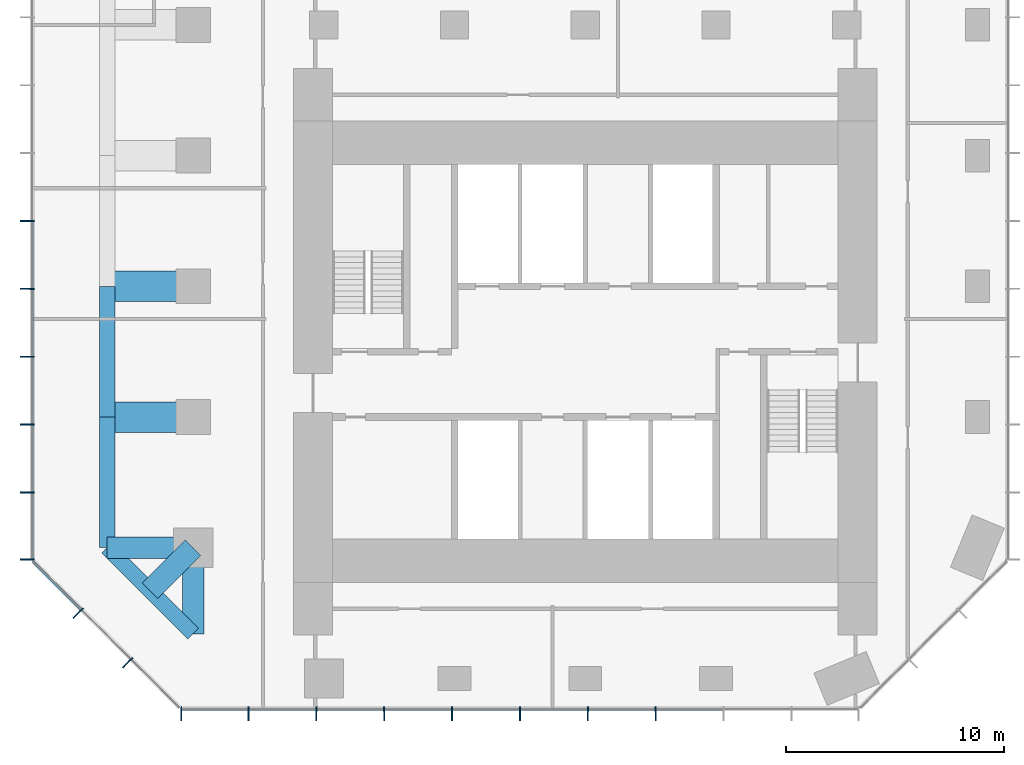
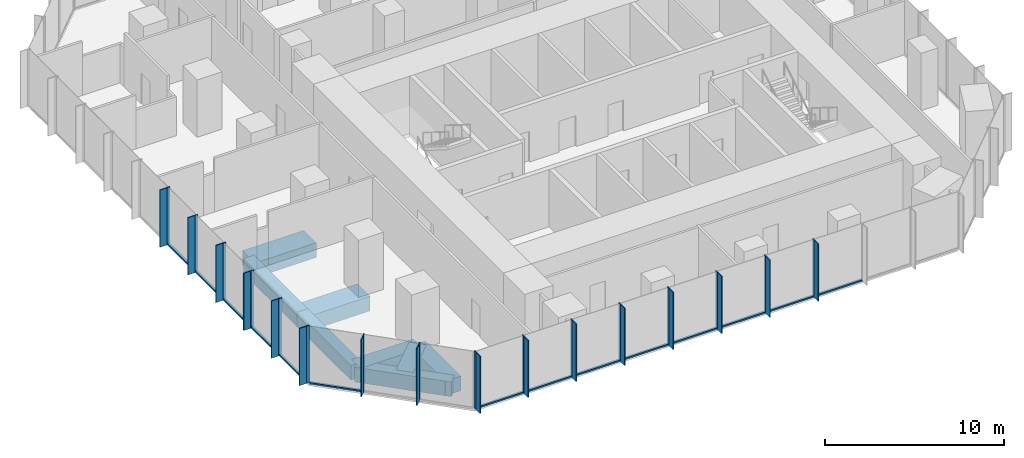
# One storey, part 2 of 11: 46 members, 8 beams, 3 elements without a shape of their own.
"""IFC4 building model written with IfcOpenShell, lengths in metres."""

from ifc_helpers import new_model, si_unit, direction, frame, origin, origin_2d, place, context, subcontext, project, spatial, rectangle, extrude, material, layer, layer_set, material_profile, profile_set, type_object, element, aggregate, save


model = new_model("IFC4")

# Units and contexts
model_context = context("Model", 3, precision=1e-05, world=origin(), true_north=direction((0.0, 1.0)))
body_context = subcontext(model_context, "Body", "Model", "MODEL_VIEW")
ifc_project = project(units=[si_unit("LENGTHUNIT", "METRE"), si_unit("AREAUNIT", "SQUARE_METRE"), si_unit("VOLUMEUNIT", "CUBIC_METRE"), si_unit("PLANEANGLEUNIT", "RADIAN"), si_unit("MASSUNIT", "GRAM", prefix="KILO")], contexts=[model_context])

# Site, building, storey
site_placement = place(None, origin())
site = spatial("IfcSite", under=ifc_project, at=site_placement, CompositionType="ELEMENT")
building_placement = place(site_placement, origin())
building = spatial("IfcBuilding", under=site, at=building_placement, Name="Highveld Stack Headquarters", CompositionType="ELEMENT")
storey_placement = place(building_placement, frame((0.0, 0.0, 192.800048828125)))
storey = spatial("IfcBuildingStorey", under=building, at=storey_placement, Name="L47", CompositionType="ELEMENT", Elevation=192.800048828125)

# Beams
ifc_material_1 = material(Name="Concrete C60/75", Category="concrete")
ifc_material_profile_1 = material_profile(ifc_material_1, rectangle(XDim=1.0, YDim=1.0, at=origin_2d()), Name="RC 1000x1000")
ifc_profile_set_1 = profile_set([ifc_material_profile_1], Name="Concrete C60/75")
beam_type_1 = type_object("IfcBeamType", Name="CANTILEVER RIB RC 1000x1000", PredefinedType="USERDEFINED", material=ifc_profile_set_1)
for number, where, z_axis, x_axis, name in (
    (1, (-12.0, -6.0, -0.75), (-1.0, 0.0, 0.0), (0.0, -1.0, 0.0), "Cantilever rib 4/D L47"),
    (2, (-12.0, -6.0, -0.75), (0.0, -1.0, 0.0), (1.0, 0.0, 0.0), "Cantilever rib 4/D L47"),
):
    element("IfcBeam", number, at=place(storey_placement, frame(where, z_axis=z_axis, x_axis=x_axis)), inside=storey, type_object=beam_type_1, Name=name, ObjectType="CANTILEVER RIB", PredefinedType="USERDEFINED", context=body_context, shape_type="SweptSolid", body=[
        extrude(rectangle(XDim=1.0, YDim=1.0, at=origin_2d()), origin(), (0.0, 0.0, 1.0), 3.949951171875),
    ])
beam_1_placement = place(storey_placement, frame((-12.0, -6.0, -0.75), z_axis=(-0.707106781187, -0.707106781187, 0.0), x_axis=(0.707106781187, -0.707106781187, 0.0)))
element("IfcBeam", 3, at=beam_1_placement, inside=storey, type_object=beam_type_1, Name="Cantilever rib 4/D L47", ObjectType="CANTILEVER RIB", PredefinedType="USERDEFINED", context=body_context, shape_type="SweptSolid", body=[
    extrude(rectangle(XDim=1.0, YDim=1.0, at=origin_2d()), origin(), (0.0, 0.0, 1.0), 2.793212890625),
])
ifc_material_2 = material(Name="Concrete C60/75", Category="concrete")
ifc_material_profile_2 = material_profile(ifc_material_2, rectangle(XDim=1.39990234375, YDim=1.0, at=origin_2d()), Name="RC 1400x1000")
ifc_profile_set_2 = profile_set([ifc_material_profile_2], Name="Concrete C60/75")
beam_type_2 = type_object("IfcBeamType", Name="CANTILEVER RIB RC 1400x1000", PredefinedType="USERDEFINED", material=ifc_profile_set_2)
for number, where, z_axis, x_axis, name in (
    (4, (-12.0, 0.0, -0.75), (-1.0, 0.0, 0.0), (0.0, -1.0, 0.0), "Cantilever rib 4/E L47"),
    (5, (-12.0, 6.0, -0.75), (-1.0, 0.0, 0.0), (0.0, -1.0, 0.0), "Cantilever rib 4/F L47"),
):
    element("IfcBeam", number, at=place(storey_placement, frame(where, z_axis=z_axis, x_axis=x_axis)), inside=storey, type_object=beam_type_2, Name=name, ObjectType="CANTILEVER RIB", PredefinedType="USERDEFINED", context=body_context, shape_type="SweptSolid", body=[
        extrude(rectangle(XDim=1.39990234375, YDim=1.0, at=origin_2d()), origin(), (0.0, 0.0, 1.0), 3.949951171875),
    ])

# Curtain wall, members
ifc_material_3 = material(Name="Aluminium bronze anodised", Category="aluminium")
ifc_layer_1 = layer(ifc_material_3, 0.199951171875)
ifc_layer_set_1 = layer_set([ifc_layer_1], Name="Aluminium bronze anodised")
curtain_wall_type_1 = type_object("IfcCurtainWallType", Name="CW1 TOWER UNITISED CURTAIN WALL", PredefinedType="NOTDEFINED", material=ifc_layer_set_1)
curtain_wall_1_placement = place(storey_placement, origin())
curtain_wall_1 = element("IfcCurtainWall", 6, at=curtain_wall_1_placement, inside=storey, type_object=curtain_wall_type_1, Name="Curtain wall CW1 L47 S", PredefinedType="NOTDEFINED")
ifc_material_4 = material(Name="Aluminium bronze anodised", Category="aluminium")
ifc_material_profile_3 = material_profile(ifc_material_4, rectangle(XDim=0.449951171875, YDim=0.06005859375, at=origin_2d()), Name="FIN 450x60")
ifc_profile_set_3 = profile_set([ifc_material_profile_3], Name="Aluminium bronze anodised")
member_type_1 = type_object("IfcMemberType", Name="CW1 BRONZE FIN 450x60", PredefinedType="USERDEFINED", material=ifc_profile_set_3)
member_1_placement = place(storey_placement, frame((-12.54736328125, -13.72509765625, 0.0), z_axis=(0.0, 0.0, 1.0), x_axis=(0.0, 1.0, 0.0)))
member_1 = element("IfcMember", 7, at=member_1_placement, type_object=member_type_1, Name="CW1 fin L47 1", ObjectType="FIN", PredefinedType="USERDEFINED", context=body_context, shape_type="SweptSolid", body=[
    extrude(rectangle(XDim=0.449951171875, YDim=0.06005859375, at=origin_2d()), origin(), (0.0, 0.0, 1.0), 3.89990234375),
])
member_2_placement = place(storey_placement, frame((-9.4638671875, -13.72509765625, 0.0), z_axis=(0.0, 0.0, 1.0), x_axis=(0.0, 1.0, 0.0)))
member_2 = element("IfcMember", 8, at=member_2_placement, type_object=member_type_1, Name="CW1 fin L47 2", ObjectType="FIN", PredefinedType="USERDEFINED", context=body_context, shape_type="SweptSolid", body=[
    extrude(rectangle(XDim=0.449951171875, YDim=0.06005859375, at=origin_2d()), origin(), (0.0, 0.0, 1.0), 3.89990234375),
])
member_3_placement = place(storey_placement, frame((-6.347900390625, -13.72509765625, 0.0), z_axis=(0.0, 0.0, 1.0), x_axis=(0.0, 1.0, 0.0)))
member_3 = element("IfcMember", 9, at=member_3_placement, type_object=member_type_1, Name="CW1 fin L47 3", ObjectType="FIN", PredefinedType="USERDEFINED", context=body_context, shape_type="SweptSolid", body=[
    extrude(rectangle(XDim=0.449951171875, YDim=0.06005859375, at=origin_2d()), origin(), (0.0, 0.0, 1.0), 3.89990234375),
])
member_4_placement = place(storey_placement, frame((-3.23193359375, -13.72509765625, 0.0), z_axis=(0.0, 0.0, 1.0), x_axis=(0.0, 1.0, 0.0)))
member_4 = element("IfcMember", 10, at=member_4_placement, type_object=member_type_1, Name="CW1 fin L47 4", ObjectType="FIN", PredefinedType="USERDEFINED", context=body_context, shape_type="SweptSolid", body=[
    extrude(rectangle(XDim=0.449951171875, YDim=0.06005859375, at=origin_2d()), origin(), (0.0, 0.0, 1.0), 3.89990234375),
])
member_5_placement = place(storey_placement, frame((-0.115966796875, -13.72509765625, 0.0), z_axis=(0.0, 0.0, 1.0), x_axis=(0.0, 1.0, 0.0)))
member_5 = element("IfcMember", 11, at=member_5_placement, type_object=member_type_1, Name="CW1 fin L47 5", ObjectType="FIN", PredefinedType="USERDEFINED", context=body_context, shape_type="SweptSolid", body=[
    extrude(rectangle(XDim=0.449951171875, YDim=0.06005859375, at=origin_2d()), origin(), (0.0, 0.0, 1.0), 3.89990234375),
])
member_6_placement = place(storey_placement, frame((3.0, -13.72509765625, 0.0), z_axis=(0.0, 0.0, 1.0), x_axis=(0.0, 1.0, 0.0)))
member_6 = element("IfcMember", 12, at=member_6_placement, type_object=member_type_1, Name="CW1 fin L47 6", ObjectType="FIN", PredefinedType="USERDEFINED", context=body_context, shape_type="SweptSolid", body=[
    extrude(rectangle(XDim=0.449951171875, YDim=0.06005859375, at=origin_2d()), origin(), (0.0, 0.0, 1.0), 3.89990234375),
])
member_7_placement = place(storey_placement, frame((6.115966796875, -13.72509765625, 0.0), z_axis=(0.0, 0.0, 1.0), x_axis=(0.0, 1.0, 0.0)))
member_7 = element("IfcMember", 13, at=member_7_placement, type_object=member_type_1, Name="CW1 fin L47 7", ObjectType="FIN", PredefinedType="USERDEFINED", context=body_context, shape_type="SweptSolid", body=[
    extrude(rectangle(XDim=0.449951171875, YDim=0.06005859375, at=origin_2d()), origin(), (0.0, 0.0, 1.0), 3.89990234375),
])
member_8_placement = place(storey_placement, frame((9.23193359375, -13.72509765625, 0.0), z_axis=(0.0, 0.0, 1.0), x_axis=(0.0, 1.0, 0.0)))
member_8 = element("IfcMember", 14, at=member_8_placement, type_object=member_type_1, Name="CW1 fin L47 8", ObjectType="FIN", PredefinedType="USERDEFINED", context=body_context, shape_type="SweptSolid", body=[
    extrude(rectangle(XDim=0.449951171875, YDim=0.06005859375, at=origin_2d()), origin(), (0.0, 0.0, 1.0), 3.89990234375),
])

curtain_wall_2_placement = place(storey_placement, origin())
curtain_wall_2 = element("IfcCurtainWall", 15, at=curtain_wall_2_placement, inside=storey, type_object=curtain_wall_type_1, Name="Curtain wall CW1 L47 W", PredefinedType="NOTDEFINED")
member_9_placement = place(storey_placement, frame((-19.72509765625, 9.0, 0.0), z_axis=(0.0, 0.0, 1.0), x_axis=(1.0, 0.0, 0.0)))
member_9 = element("IfcMember", 16, at=member_9_placement, type_object=member_type_1, Name="CW1 fin L47 6", ObjectType="FIN", PredefinedType="USERDEFINED", context=body_context, shape_type="SweptSolid", body=[
    extrude(rectangle(XDim=0.449951171875, YDim=0.06005859375, at=origin_2d()), origin(), (0.0, 0.0, 1.0), 3.89990234375),
])
member_10_placement = place(storey_placement, frame((-19.72509765625, 5.884033203125, 0.0), z_axis=(0.0, 0.0, 1.0), x_axis=(1.0, 0.0, 0.0)))
member_10 = element("IfcMember", 17, at=member_10_placement, type_object=member_type_1, Name="CW1 fin L47 7", ObjectType="FIN", PredefinedType="USERDEFINED", context=body_context, shape_type="SweptSolid", body=[
    extrude(rectangle(XDim=0.449951171875, YDim=0.06005859375, at=origin_2d()), origin(), (0.0, 0.0, 1.0), 3.89990234375),
])
member_11_placement = place(storey_placement, frame((-19.72509765625, 2.76806640625, 0.0), z_axis=(0.0, 0.0, 1.0), x_axis=(1.0, 0.0, 0.0)))
member_11 = element("IfcMember", 18, at=member_11_placement, type_object=member_type_1, Name="CW1 fin L47 8", ObjectType="FIN", PredefinedType="USERDEFINED", context=body_context, shape_type="SweptSolid", body=[
    extrude(rectangle(XDim=0.449951171875, YDim=0.06005859375, at=origin_2d()), origin(), (0.0, 0.0, 1.0), 3.89990234375),
])
member_12_placement = place(storey_placement, frame((-19.72509765625, -0.347900390625, 0.0), z_axis=(0.0, 0.0, 1.0), x_axis=(1.0, 0.0, 0.0)))
member_12 = element("IfcMember", 19, at=member_12_placement, type_object=member_type_1, Name="CW1 fin L47 9", ObjectType="FIN", PredefinedType="USERDEFINED", context=body_context, shape_type="SweptSolid", body=[
    extrude(rectangle(XDim=0.449951171875, YDim=0.06005859375, at=origin_2d()), origin(), (0.0, 0.0, 1.0), 3.89990234375),
])
member_13_placement = place(storey_placement, frame((-19.72509765625, -3.4638671875, 0.0), z_axis=(0.0, 0.0, 1.0), x_axis=(1.0, 0.0, 0.0)))
member_13 = element("IfcMember", 20, at=member_13_placement, type_object=member_type_1, Name="CW1 fin L47 10", ObjectType="FIN", PredefinedType="USERDEFINED", context=body_context, shape_type="SweptSolid", body=[
    extrude(rectangle(XDim=0.449951171875, YDim=0.06005859375, at=origin_2d()), origin(), (0.0, 0.0, 1.0), 3.89990234375),
])
member_14_placement = place(storey_placement, frame((-19.72509765625, -6.54736328125, 0.0), z_axis=(0.0, 0.0, 1.0), x_axis=(1.0, 0.0, 0.0)))
member_14 = element("IfcMember", 21, at=member_14_placement, type_object=member_type_1, Name="CW1 fin L47 11", ObjectType="FIN", PredefinedType="USERDEFINED", context=body_context, shape_type="SweptSolid", body=[
    extrude(rectangle(XDim=0.449951171875, YDim=0.06005859375, at=origin_2d()), origin(), (0.0, 0.0, 1.0), 3.89990234375),
])

# Member
ifc_material_5 = material(Name="Aluminium bronze anodised", Category="aluminium")
ifc_material_profile_4 = material_profile(ifc_material_5, rectangle(XDim=0.199951171875, YDim=0.06494140625, at=origin_2d()), Name="CW1 MULLION 65x200")
ifc_profile_set_4 = profile_set([ifc_material_profile_4], Name="Aluminium bronze anodised")
member_type_2 = type_object("IfcMemberType", Name="CW1 MULLION 65x200", PredefinedType="MULLION", material=ifc_profile_set_4)
member_15_placement = place(storey_placement, frame((-12.54736328125, -13.39990234375, 0.0), z_axis=(0.0, 0.0, 1.0), x_axis=(0.0, 1.0, 0.0)))
member_15 = element("IfcMember", 22, at=member_15_placement, type_object=member_type_2, Name="CW1 mullion L47 1", PredefinedType="MULLION", context=body_context, shape_type="SweptSolid", body=[
    extrude(rectangle(XDim=0.199951171875, YDim=0.06494140625, at=origin_2d()), origin(), (0.0, 0.0, 1.0), 3.89990234375),
])

member_16_placement = place(storey_placement, frame((-9.4638671875, -13.39990234375, 0.0), z_axis=(0.0, 0.0, 1.0), x_axis=(0.0, 1.0, 0.0)))
member_16 = element("IfcMember", 23, at=member_16_placement, type_object=member_type_2, Name="CW1 mullion L47 2", PredefinedType="MULLION", context=body_context, shape_type="SweptSolid", body=[
    extrude(rectangle(XDim=0.199951171875, YDim=0.06494140625, at=origin_2d()), origin(), (0.0, 0.0, 1.0), 3.89990234375),
])

member_17_placement = place(storey_placement, frame((-6.347900390625, -13.39990234375, 0.0), z_axis=(0.0, 0.0, 1.0), x_axis=(0.0, 1.0, 0.0)))
member_17 = element("IfcMember", 24, at=member_17_placement, type_object=member_type_2, Name="CW1 mullion L47 3", PredefinedType="MULLION", context=body_context, shape_type="SweptSolid", body=[
    extrude(rectangle(XDim=0.199951171875, YDim=0.06494140625, at=origin_2d()), origin(), (0.0, 0.0, 1.0), 3.89990234375),
])

member_18_placement = place(storey_placement, frame((-3.23193359375, -13.39990234375, 0.0), z_axis=(0.0, 0.0, 1.0), x_axis=(0.0, 1.0, 0.0)))
member_18 = element("IfcMember", 25, at=member_18_placement, type_object=member_type_2, Name="CW1 mullion L47 4", PredefinedType="MULLION", context=body_context, shape_type="SweptSolid", body=[
    extrude(rectangle(XDim=0.199951171875, YDim=0.06494140625, at=origin_2d()), origin(), (0.0, 0.0, 1.0), 3.89990234375),
])

member_19_placement = place(storey_placement, frame((-0.115966796875, -13.39990234375, 0.0), z_axis=(0.0, 0.0, 1.0), x_axis=(0.0, 1.0, 0.0)))
member_19 = element("IfcMember", 26, at=member_19_placement, type_object=member_type_2, Name="CW1 mullion L47 5", PredefinedType="MULLION", context=body_context, shape_type="SweptSolid", body=[
    extrude(rectangle(XDim=0.199951171875, YDim=0.06494140625, at=origin_2d()), origin(), (0.0, 0.0, 1.0), 3.89990234375),
])

member_20_placement = place(storey_placement, frame((3.0, -13.39990234375, 0.0), z_axis=(0.0, 0.0, 1.0), x_axis=(0.0, 1.0, 0.0)))
member_20 = element("IfcMember", 27, at=member_20_placement, type_object=member_type_2, Name="CW1 mullion L47 6", PredefinedType="MULLION", context=body_context, shape_type="SweptSolid", body=[
    extrude(rectangle(XDim=0.199951171875, YDim=0.06494140625, at=origin_2d()), origin(), (0.0, 0.0, 1.0), 3.89990234375),
])

member_21_placement = place(storey_placement, frame((6.115966796875, -13.39990234375, 0.0), z_axis=(0.0, 0.0, 1.0), x_axis=(0.0, 1.0, 0.0)))
member_21 = element("IfcMember", 28, at=member_21_placement, type_object=member_type_2, Name="CW1 mullion L47 7", PredefinedType="MULLION", context=body_context, shape_type="SweptSolid", body=[
    extrude(rectangle(XDim=0.199951171875, YDim=0.06494140625, at=origin_2d()), origin(), (0.0, 0.0, 1.0), 3.89990234375),
])

member_22_placement = place(storey_placement, frame((9.23193359375, -13.39990234375, 0.0), z_axis=(0.0, 0.0, 1.0), x_axis=(0.0, 1.0, 0.0)))
member_22 = element("IfcMember", 29, at=member_22_placement, type_object=member_type_2, Name="CW1 mullion L47 8", PredefinedType="MULLION", context=body_context, shape_type="SweptSolid", body=[
    extrude(rectangle(XDim=0.199951171875, YDim=0.06494140625, at=origin_2d()), origin(), (0.0, 0.0, 1.0), 3.89990234375),
])

member_23_placement = place(storey_placement, frame((-19.39990234375, 9.0, 0.0), z_axis=(0.0, 0.0, 1.0), x_axis=(1.0, 0.0, 0.0)))
member_23 = element("IfcMember", 30, at=member_23_placement, type_object=member_type_2, Name="CW1 mullion L47 6", PredefinedType="MULLION", context=body_context, shape_type="SweptSolid", body=[
    extrude(rectangle(XDim=0.199951171875, YDim=0.06494140625, at=origin_2d()), origin(), (0.0, 0.0, 1.0), 3.89990234375),
])

member_24_placement = place(storey_placement, frame((-19.39990234375, 5.884033203125, 0.0), z_axis=(0.0, 0.0, 1.0), x_axis=(1.0, 0.0, 0.0)))
member_24 = element("IfcMember", 31, at=member_24_placement, type_object=member_type_2, Name="CW1 mullion L47 7", PredefinedType="MULLION", context=body_context, shape_type="SweptSolid", body=[
    extrude(rectangle(XDim=0.199951171875, YDim=0.06494140625, at=origin_2d()), origin(), (0.0, 0.0, 1.0), 3.89990234375),
])

member_25_placement = place(storey_placement, frame((-19.39990234375, 2.76806640625, 0.0), z_axis=(0.0, 0.0, 1.0), x_axis=(1.0, 0.0, 0.0)))
member_25 = element("IfcMember", 32, at=member_25_placement, type_object=member_type_2, Name="CW1 mullion L47 8", PredefinedType="MULLION", context=body_context, shape_type="SweptSolid", body=[
    extrude(rectangle(XDim=0.199951171875, YDim=0.06494140625, at=origin_2d()), origin(), (0.0, 0.0, 1.0), 3.89990234375),
])

member_26_placement = place(storey_placement, frame((-19.39990234375, -0.347900390625, 0.0), z_axis=(0.0, 0.0, 1.0), x_axis=(1.0, 0.0, 0.0)))
member_26 = element("IfcMember", 33, at=member_26_placement, type_object=member_type_2, Name="CW1 mullion L47 9", PredefinedType="MULLION", context=body_context, shape_type="SweptSolid", body=[
    extrude(rectangle(XDim=0.199951171875, YDim=0.06494140625, at=origin_2d()), origin(), (0.0, 0.0, 1.0), 3.89990234375),
])

member_27_placement = place(storey_placement, frame((-19.39990234375, -3.4638671875, 0.0), z_axis=(0.0, 0.0, 1.0), x_axis=(1.0, 0.0, 0.0)))
member_27 = element("IfcMember", 34, at=member_27_placement, type_object=member_type_2, Name="CW1 mullion L47 10", PredefinedType="MULLION", context=body_context, shape_type="SweptSolid", body=[
    extrude(rectangle(XDim=0.199951171875, YDim=0.06494140625, at=origin_2d()), origin(), (0.0, 0.0, 1.0), 3.89990234375),
])

member_28_placement = place(storey_placement, frame((-19.39990234375, -6.54736328125, 0.0), z_axis=(0.0, 0.0, 1.0), x_axis=(1.0, 0.0, 0.0)))
member_28 = element("IfcMember", 35, at=member_28_placement, type_object=member_type_2, Name="CW1 mullion L47 11", PredefinedType="MULLION", context=body_context, shape_type="SweptSolid", body=[
    extrude(rectangle(XDim=0.199951171875, YDim=0.06494140625, at=origin_2d()), origin(), (0.0, 0.0, 1.0), 3.89990234375),
])

ifc_material_6 = material(Name="Aluminium bronze anodised", Category="aluminium")
ifc_material_profile_5 = material_profile(ifc_material_6, rectangle(XDim=0.14990234375, YDim=0.10009765625, at=origin_2d()), Name="CW1 TRANSOM 150x100")
ifc_profile_set_5 = profile_set([ifc_material_profile_5], Name="Aluminium bronze anodised")
member_type_3 = type_object("IfcMemberType", Name="CW1 STACK TRANSOM 150x100", PredefinedType="USERDEFINED", material=ifc_profile_set_5)
member_29_placement = place(storey_placement, frame((-12.514892578125, -13.39990234375, 0.050048828125), z_axis=(1.0, 0.0, 0.0), x_axis=(0.0, 1.0, 0.0)))
member_29 = element("IfcMember", 36, at=member_29_placement, type_object=member_type_3, Name="CW1 transom L47 1.1", ObjectType="TRANSOM", PredefinedType="USERDEFINED", context=body_context, shape_type="SweptSolid", body=[
    extrude(rectangle(XDim=0.14990234375, YDim=0.10009765625, at=origin_2d()), origin(), (0.0, 0.0, 1.0), 3.0185546875),
])

member_30_placement = place(storey_placement, frame((-9.431396484375, -13.39990234375, 0.050048828125), z_axis=(1.0, 0.0, 0.0), x_axis=(0.0, 1.0, 0.0)))
member_30 = element("IfcMember", 37, at=member_30_placement, type_object=member_type_3, Name="CW1 transom L47 2.1", ObjectType="TRANSOM", PredefinedType="USERDEFINED", context=body_context, shape_type="SweptSolid", body=[
    extrude(rectangle(XDim=0.14990234375, YDim=0.10009765625, at=origin_2d()), origin(), (0.0, 0.0, 1.0), 3.051025390625),
])

member_31_placement = place(storey_placement, frame((-6.3154296875, -13.39990234375, 0.050048828125), z_axis=(1.0, 0.0, 0.0), x_axis=(0.0, 1.0, 0.0)))
member_31 = element("IfcMember", 38, at=member_31_placement, type_object=member_type_3, Name="CW1 transom L47 3.1", ObjectType="TRANSOM", PredefinedType="USERDEFINED", context=body_context, shape_type="SweptSolid", body=[
    extrude(rectangle(XDim=0.14990234375, YDim=0.10009765625, at=origin_2d()), origin(), (0.0, 0.0, 1.0), 3.051025390625),
])

member_32_placement = place(storey_placement, frame((-3.199462890625, -13.39990234375, 0.050048828125), z_axis=(1.0, 0.0, 0.0), x_axis=(0.0, 1.0, 0.0)))
member_32 = element("IfcMember", 39, at=member_32_placement, type_object=member_type_3, Name="CW1 transom L47 4.1", ObjectType="TRANSOM", PredefinedType="USERDEFINED", context=body_context, shape_type="SweptSolid", body=[
    extrude(rectangle(XDim=0.14990234375, YDim=0.10009765625, at=origin_2d()), origin(), (0.0, 0.0, 1.0), 3.051025390625),
])

member_33_placement = place(storey_placement, frame((-0.08349609375, -13.39990234375, 0.050048828125), z_axis=(1.0, 0.0, 0.0), x_axis=(0.0, 1.0, 0.0)))
member_33 = element("IfcMember", 40, at=member_33_placement, type_object=member_type_3, Name="CW1 transom L47 5.1", ObjectType="TRANSOM", PredefinedType="USERDEFINED", context=body_context, shape_type="SweptSolid", body=[
    extrude(rectangle(XDim=0.14990234375, YDim=0.10009765625, at=origin_2d()), origin(), (0.0, 0.0, 1.0), 3.051025390625),
])

member_34_placement = place(storey_placement, frame((3.032470703125, -13.39990234375, 0.050048828125), z_axis=(1.0, 0.0, 0.0), x_axis=(0.0, 1.0, 0.0)))
member_34 = element("IfcMember", 41, at=member_34_placement, type_object=member_type_3, Name="CW1 transom L47 6.1", ObjectType="TRANSOM", PredefinedType="USERDEFINED", context=body_context, shape_type="SweptSolid", body=[
    extrude(rectangle(XDim=0.14990234375, YDim=0.10009765625, at=origin_2d()), origin(), (0.0, 0.0, 1.0), 3.051025390625),
])

member_35_placement = place(storey_placement, frame((6.1484375, -13.39990234375, 0.050048828125), z_axis=(1.0, 0.0, 0.0), x_axis=(0.0, 1.0, 0.0)))
member_35 = element("IfcMember", 42, at=member_35_placement, type_object=member_type_3, Name="CW1 transom L47 7.1", ObjectType="TRANSOM", PredefinedType="USERDEFINED", context=body_context, shape_type="SweptSolid", body=[
    extrude(rectangle(XDim=0.14990234375, YDim=0.10009765625, at=origin_2d()), origin(), (0.0, 0.0, 1.0), 3.051025390625),
])

member_36_placement = place(storey_placement, frame((9.264404296875, -13.39990234375, 0.050048828125), z_axis=(1.0, 0.0, 0.0), x_axis=(0.0, 1.0, 0.0)))
member_36 = element("IfcMember", 43, at=member_36_placement, type_object=member_type_3, Name="CW1 transom L47 8.1", ObjectType="TRANSOM", PredefinedType="USERDEFINED", context=body_context, shape_type="SweptSolid", body=[
    extrude(rectangle(XDim=0.14990234375, YDim=0.10009765625, at=origin_2d()), origin(), (0.0, 0.0, 1.0), 3.051025390625),
])

aggregate(curtain_wall_1, [member_15, member_1, member_16, member_2, member_17, member_3, member_18, member_4, member_19, member_5, member_20, member_6, member_21, member_7, member_22, member_8, member_29, member_30, member_31, member_32, member_33, member_34, member_35, member_36])

member_37_placement = place(storey_placement, frame((-19.39990234375, 8.967529296875, 0.050048828125), z_axis=(0.0, -1.0, 0.0), x_axis=(1.0, 0.0, 0.0)))
member_37 = element("IfcMember", 44, at=member_37_placement, type_object=member_type_3, Name="CW1 transom L47 6.1", ObjectType="TRANSOM", PredefinedType="USERDEFINED", context=body_context, shape_type="SweptSolid", body=[
    extrude(rectangle(XDim=0.14990234375, YDim=0.10009765625, at=origin_2d()), origin(), (0.0, 0.0, 1.0), 3.051025390625),
])

member_38_placement = place(storey_placement, frame((-19.39990234375, 5.8515625, 0.050048828125), z_axis=(0.0, -1.0, 0.0), x_axis=(1.0, 0.0, 0.0)))
member_38 = element("IfcMember", 45, at=member_38_placement, type_object=member_type_3, Name="CW1 transom L47 7.1", ObjectType="TRANSOM", PredefinedType="USERDEFINED", context=body_context, shape_type="SweptSolid", body=[
    extrude(rectangle(XDim=0.14990234375, YDim=0.10009765625, at=origin_2d()), origin(), (0.0, 0.0, 1.0), 3.051025390625),
])

member_39_placement = place(storey_placement, frame((-19.39990234375, 2.735595703125, 0.050048828125), z_axis=(0.0, -1.0, 0.0), x_axis=(1.0, 0.0, 0.0)))
member_39 = element("IfcMember", 46, at=member_39_placement, type_object=member_type_3, Name="CW1 transom L47 8.1", ObjectType="TRANSOM", PredefinedType="USERDEFINED", context=body_context, shape_type="SweptSolid", body=[
    extrude(rectangle(XDim=0.14990234375, YDim=0.10009765625, at=origin_2d()), origin(), (0.0, 0.0, 1.0), 3.051025390625),
])

member_40_placement = place(storey_placement, frame((-19.39990234375, -0.38037109375, 0.050048828125), z_axis=(0.0, -1.0, 0.0), x_axis=(1.0, 0.0, 0.0)))
member_40 = element("IfcMember", 47, at=member_40_placement, type_object=member_type_3, Name="CW1 transom L47 9.1", ObjectType="TRANSOM", PredefinedType="USERDEFINED", context=body_context, shape_type="SweptSolid", body=[
    extrude(rectangle(XDim=0.14990234375, YDim=0.10009765625, at=origin_2d()), origin(), (0.0, 0.0, 1.0), 3.051025390625),
])

member_41_placement = place(storey_placement, frame((-19.39990234375, -3.496337890625, 0.050048828125), z_axis=(0.0, -1.0, 0.0), x_axis=(1.0, 0.0, 0.0)))
member_41 = element("IfcMember", 48, at=member_41_placement, type_object=member_type_3, Name="CW1 transom L47 10.1", ObjectType="TRANSOM", PredefinedType="USERDEFINED", context=body_context, shape_type="SweptSolid", body=[
    extrude(rectangle(XDim=0.14990234375, YDim=0.10009765625, at=origin_2d()), origin(), (0.0, 0.0, 1.0), 3.0185546875),
])

aggregate(curtain_wall_2, [member_23, member_9, member_24, member_10, member_25, member_11, member_26, member_12, member_27, member_13, member_28, member_14, member_37, member_38, member_39, member_40, member_41])

# Curtain wall, members
ifc_material_7 = material(Name="Aluminium bronze anodised", Category="aluminium")
ifc_layer_2 = layer(ifc_material_7, 0.199951171875)
ifc_layer_set_2 = layer_set([ifc_layer_2], Name="Aluminium bronze anodised")
curtain_wall_type_2 = type_object("IfcCurtainWallType", Name="CW2 TOWER CHAMFER UNITISED CURTAIN WALL", PredefinedType="NOTDEFINED", material=ifc_layer_set_2)
curtain_wall_3_placement = place(storey_placement, origin())
curtain_wall_3 = element("IfcCurtainWall", 49, at=curtain_wall_3_placement, inside=storey, type_object=curtain_wall_type_2, Name="Curtain wall CW2 L47 SW", PredefinedType="NOTDEFINED")
ifc_material_8 = material(Name="Aluminium bronze anodised", Category="aluminium")
ifc_material_profile_6 = material_profile(ifc_material_8, rectangle(XDim=0.449951171875, YDim=0.06005859375, at=origin_2d()), Name="FIN 450x60")
ifc_profile_set_6 = profile_set([ifc_material_profile_6], Name="Aluminium bronze anodised")
member_type_4 = type_object("IfcMemberType", Name="CW2 BRONZE FIN 450x60", PredefinedType="USERDEFINED", material=ifc_profile_set_6)
member_42_placement = place(storey_placement, frame((-17.3564453125, -9.0830078125, 0.0), z_axis=(0.0, 0.0, 1.0), x_axis=(0.707106781187, 0.707106781187, 0.0)))
member_42 = element("IfcMember", 50, at=member_42_placement, type_object=member_type_4, Name="CW2 fin L47 1", ObjectType="FIN", PredefinedType="USERDEFINED", context=body_context, shape_type="SweptSolid", body=[
    extrude(rectangle(XDim=0.449951171875, YDim=0.06005859375, at=origin_2d()), origin(), (0.0, 0.0, 1.0), 3.89990234375),
])
member_43_placement = place(storey_placement, frame((-15.0830078125, -11.3564453125, 0.0), z_axis=(0.0, 0.0, 1.0), x_axis=(0.707106781187, 0.707106781187, 0.0)))
member_43 = element("IfcMember", 51, at=member_43_placement, type_object=member_type_4, Name="CW2 fin L47 2", ObjectType="FIN", PredefinedType="USERDEFINED", context=body_context, shape_type="SweptSolid", body=[
    extrude(rectangle(XDim=0.449951171875, YDim=0.06005859375, at=origin_2d()), origin(), (0.0, 0.0, 1.0), 3.89990234375),
])
ifc_material_9 = material(Name="Aluminium bronze anodised", Category="aluminium")
ifc_material_profile_7 = material_profile(ifc_material_9, rectangle(XDim=0.199951171875, YDim=0.06494140625, at=origin_2d()), Name="CW2 MULLION 65x200")
ifc_profile_set_7 = profile_set([ifc_material_profile_7], Name="Aluminium bronze anodised")
member_type_5 = type_object("IfcMemberType", Name="CW2 MULLION 65x200", PredefinedType="MULLION", material=ifc_profile_set_7)
member_44_placement = place(storey_placement, frame((-17.126708984375, -8.853271484375, 0.0), z_axis=(0.0, 0.0, 1.0), x_axis=(0.707106781187, 0.707106781187, 0.0)))
member_44 = element("IfcMember", 52, at=member_44_placement, type_object=member_type_5, Name="CW2 mullion L47 1", PredefinedType="MULLION", context=body_context, shape_type="SweptSolid", body=[
    extrude(rectangle(XDim=0.199951171875, YDim=0.06494140625, at=origin_2d()), origin(), (0.0, 0.0, 1.0), 3.89990234375),
])
member_45_placement = place(storey_placement, frame((-14.853271484375, -11.126708984375, 0.0), z_axis=(0.0, 0.0, 1.0), x_axis=(0.707106781187, 0.707106781187, 0.0)))
member_45 = element("IfcMember", 53, at=member_45_placement, type_object=member_type_5, Name="CW2 mullion L47 2", PredefinedType="MULLION", context=body_context, shape_type="SweptSolid", body=[
    extrude(rectangle(XDim=0.199951171875, YDim=0.06494140625, at=origin_2d()), origin(), (0.0, 0.0, 1.0), 3.89990234375),
])
ifc_material_10 = material(Name="Aluminium bronze anodised", Category="aluminium")
ifc_material_profile_8 = material_profile(ifc_material_10, rectangle(XDim=0.14990234375, YDim=0.10009765625, at=origin_2d()), Name="CW2 TRANSOM 150x100")
ifc_profile_set_8 = profile_set([ifc_material_profile_8], Name="Aluminium bronze anodised")
member_type_6 = type_object("IfcMemberType", Name="CW2 STACK TRANSOM 150x100", PredefinedType="USERDEFINED", material=ifc_profile_set_8)
member_46_placement = place(storey_placement, frame((-19.329345703125, -6.650634765625, 0.050048828125), z_axis=(0.707106781187, -0.707106781187, 0.0), x_axis=(0.707106781187, 0.707106781187, 0.0)))
member_46 = element("IfcMember", 54, at=member_46_placement, type_object=member_type_6, Name="CW2 transom L47 1.1", ObjectType="TRANSOM", PredefinedType="USERDEFINED", context=body_context, shape_type="SweptSolid", body=[
    extrude(rectangle(XDim=0.14990234375, YDim=0.10009765625, at=origin_2d()), origin(), (0.0, 0.0, 1.0), 3.08251953125),
])
aggregate(curtain_wall_3, [member_44, member_42, member_45, member_43, member_46])

# Beams
ifc_material_11 = material(Name="Concrete C60/75", Category="concrete")
ifc_material_profile_9 = material_profile(ifc_material_11, rectangle(XDim=0.699951171875, YDim=1.0, at=origin_2d()), Name="RC 700x1000")
ifc_profile_set_9 = profile_set([ifc_material_profile_9], Name="Concrete C60/75")
beam_type_3 = type_object("IfcBeamType", Name="RIB TIP BEAM RC 700x1000", PredefinedType="SPANDREL", material=ifc_profile_set_9)
for number, where, z_axis, x_axis, name in (
    (55, (-15.949951171875, -6.0, -0.75), (0.0, 1.0, 0.0), (-1.0, 0.0, 0.0), "Rib tip beam 4/D to 4/E L47"),
    (56, (-15.949951171875, 0.0, -0.75), (0.0, 1.0, 0.0), (-1.0, 0.0, 0.0), "Rib tip beam 4/E to 4/F L47"),
):
    element("IfcBeam", number, at=place(storey_placement, frame(where, z_axis=z_axis, x_axis=x_axis)), inside=storey, type_object=beam_type_3, Name=name, PredefinedType="SPANDREL", context=body_context, shape_type="SweptSolid", body=[
        extrude(rectangle(XDim=0.699951171875, YDim=1.0, at=origin_2d()), origin(), (0.0, 0.0, 1.0), 6.0),
    ])
beam_2_placement = place(storey_placement, frame((-15.949951171875, -6.0, -0.75), z_axis=(0.707106781187, -0.707106781187, 0.0), x_axis=(0.707106781187, 0.707106781187, 0.0)))
element("IfcBeam", 57, at=beam_2_placement, inside=storey, type_object=beam_type_3, Name="Rib tip beam 4/D corner L47", PredefinedType="SPANDREL", context=body_context, shape_type="SweptSolid", body=[
    extrude(rectangle(XDim=0.699951171875, YDim=1.0, at=origin_2d()), origin(), (0.0, 0.0, 1.0), 5.586181640625),
])

save(model, "model.ifc")
